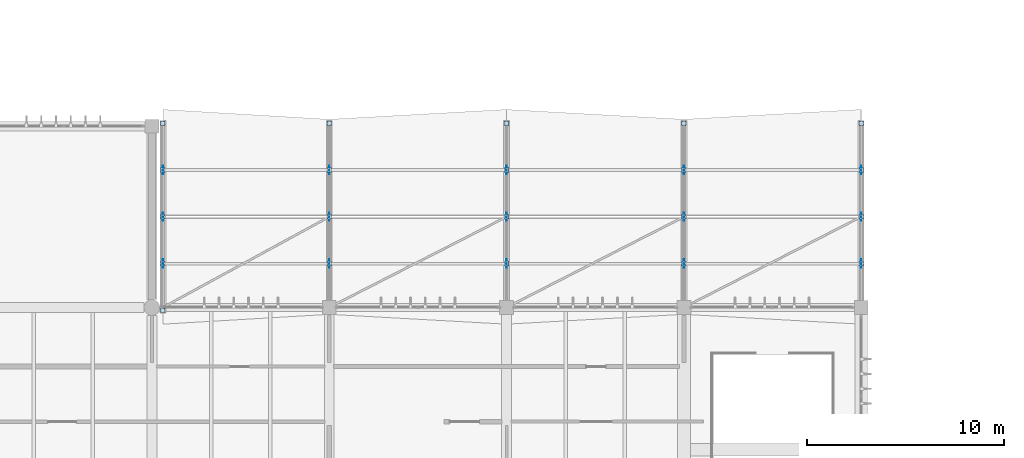
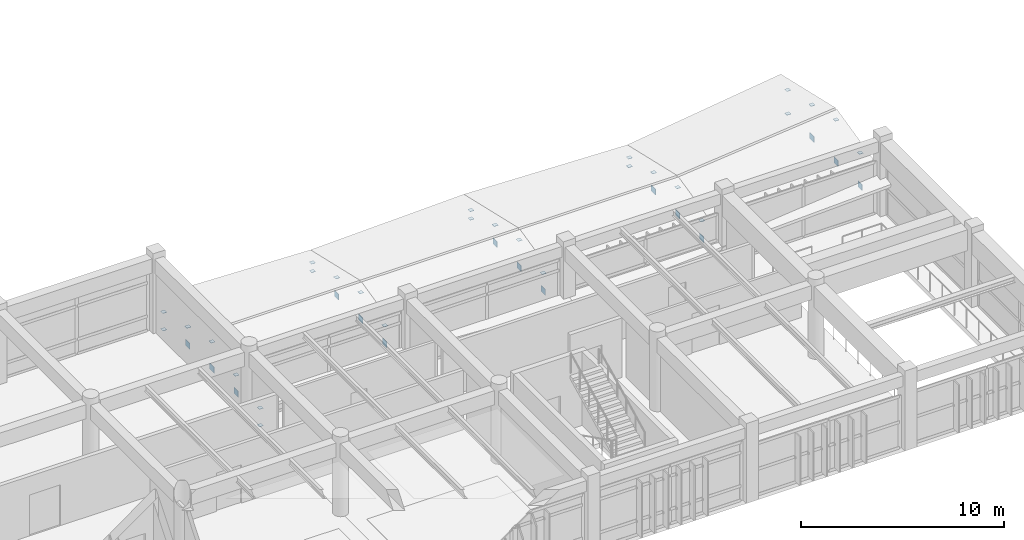
# One storey, part 59 of 90: 42 plates.
"""IFC4 building model written with IfcOpenShell, lengths in metres."""

from ifc_helpers import new_model, si_unit, direction, frame, origin, origin_2d, place, context, subcontext, project, spatial, rectangle, extrude, material, layer, layer_set, type_object, element, save


model = new_model("IFC4")

# Units and contexts
model_context = context("Model", 3, precision=1e-05, world=origin(), true_north=direction((0.0, 1.0)))
body_context = subcontext(model_context, "Body", "Model", "MODEL_VIEW")
ifc_project = project(units=[si_unit("LENGTHUNIT", "METRE"), si_unit("AREAUNIT", "SQUARE_METRE"), si_unit("VOLUMEUNIT", "CUBIC_METRE"), si_unit("PLANEANGLEUNIT", "RADIAN"), si_unit("MASSUNIT", "GRAM", prefix="KILO")], contexts=[model_context])

# Site, building, storey
site_placement = place(None, origin())
site = spatial("IfcSite", under=ifc_project, at=site_placement, CompositionType="ELEMENT")
building_placement = place(site_placement, origin())
building = spatial("IfcBuilding", under=site, at=building_placement, Name="Bozkorgan Art Gallery", CompositionType="ELEMENT")
storey_placement = place(building_placement, frame((0.0, 0.0, 5.39990234375)))
storey = spatial("IfcBuildingStorey", under=building, at=storey_placement, Name="L01", CompositionType="ELEMENT", Elevation=5.39990234375)

# Plates
ifc_material = material(Name="Steel S355J2", Category="steel")
ifc_layer_1 = layer(ifc_material, 0.01611328125, Name="Steel S355J2")
ifc_layer_set_1 = layer_set([ifc_layer_1], Name="Steel S355J2")
plate_type_1 = type_object("IfcPlateType", Name="PLATE-EC-05", PredefinedType="USERDEFINED", material=ifc_layer_set_1)
for number, where, z_axis, x_axis, name in (
    (1, (29.550048828125, 19.85009765625, 0.705322265625), (0.0, 0.0, 1.0), (1.0, 0.0, 0.0), "Truss V1 post cap 1.0"),
    (2, (29.550048828125, 19.85009765625, -0.347900390625), (0.0, 0.0, 1.0), (1.0, 0.0, 0.0), "Truss V1 post base cap 1.0"),
    (3, (29.550048828125, 22.22509765625, 1.253662109375), (0.0, 0.0, 1.0), (1.0, 0.0, 0.0), "Truss V1 post cap 1.1"),
    (4, (29.550048828125, 24.60009765625, 1.802001953125), (0.0, 0.0, 1.0), (1.0, 0.0, 0.0), "Truss V1 post cap 1.2"),
    (5, (29.550048828125, 26.97509765625, 1.253662109375), (0.0, 0.0, 1.0), (1.0, 0.0, 0.0), "Truss V1 post cap 1.3"),
    (6, (29.550048828125, 29.35009765625, 0.705322265625), (0.0, 0.0, 1.0), (1.0, 0.0, 0.0), "Truss V1 post cap 1.4"),
    (7, (29.550048828125, 29.35009765625, -0.347900390625), (0.0, 0.0, 1.0), (1.0, 0.0, 0.0), "Truss V1 post base cap 1.4"),
    (8, (38.0, 22.22509765625, 1.253662109375), (0.0, 0.0, 1.0), (1.0, 0.0, 0.0), "Truss V1 post cap 2.1"),
    (9, (38.0, 24.60009765625, 1.802001953125), (0.0, 0.0, 1.0), (1.0, 0.0, 0.0), "Truss V1 post cap 2.2"),
    (10, (38.0, 26.97509765625, 1.253662109375), (0.0, 0.0, 1.0), (1.0, 0.0, 0.0), "Truss V1 post cap 2.3"),
    (11, (38.0, 29.35009765625, 0.705322265625), (0.0, 0.0, 1.0), (1.0, 0.0, 0.0), "Truss V1 post cap 2.4"),
    (12, (38.0, 29.35009765625, 0.192138671875), (0.0, 0.0, 1.0), (1.0, 0.0, 0.0), "Truss V1 post base cap 2.4"),
    (13, (47.0, 22.22509765625, 1.253662109375), (0.0, 0.0, 1.0), (1.0, 0.0, 0.0), "Truss V1 post cap 3.1"),
    (14, (47.0, 24.60009765625, 1.802001953125), (0.0, 0.0, 1.0), (1.0, 0.0, 0.0), "Truss V1 post cap 3.2"),
    (15, (47.0, 26.97509765625, 1.253662109375), (0.0, 0.0, 1.0), (1.0, 0.0, 0.0), "Truss V1 post cap 3.3"),
    (16, (47.0, 29.35009765625, 0.705322265625), (0.0, 0.0, 1.0), (1.0, 0.0, 0.0), "Truss V1 post cap 3.4"),
    (17, (47.0, 29.35009765625, 0.192138671875), (0.0, 0.0, 1.0), (1.0, 0.0, 0.0), "Truss V1 post base cap 3.4"),
    (18, (56.0, 22.22509765625, 1.25927734375), (0.0, 0.0, 1.0), (1.0, 0.0, 0.0), "Truss V1 post cap 4.1"),
    (19, (56.0, 24.60009765625, 1.8076171875), (0.0, 0.0, 1.0), (1.0, 0.0, 0.0), "Truss V1 post cap 4.2"),
    (20, (56.0, 26.97509765625, 1.25927734375), (0.0, 0.0, 1.0), (1.0, 0.0, 0.0), "Truss V1 post cap 4.3"),
    (21, (56.0, 29.35009765625, 0.7109375), (0.0, 0.0, 1.0), (1.0, 0.0, 0.0), "Truss V1 post cap 4.4"),
    (22, (56.0, 29.35009765625, 0.192138671875), (0.0, 0.0, 1.0), (1.0, 0.0, 0.0), "Truss V1 post base cap 4.4"),
    (23, (65.0, 22.22509765625, 2.16943359375), (0.0, 0.0, 1.0), (1.0, 0.0, 0.0), "Truss V1 post cap 5.1"),
    (24, (65.0, 24.60009765625, 2.717529296875), (0.0, 0.0, 1.0), (1.0, 0.0, 0.0), "Truss V1 post cap 5.2"),
    (25, (65.0, 26.97509765625, 2.16943359375), (0.0, 0.0, 1.0), (1.0, 0.0, 0.0), "Truss V1 post cap 5.3"),
    (26, (65.0, 29.35009765625, 1.62109375), (0.0, 0.0, 1.0), (1.0, 0.0, 0.0), "Truss V1 post cap 5.4"),
    (27, (65.0, 29.35009765625, 0.192138671875), (0.0, 0.0, 1.0), (1.0, 0.0, 0.0), "Truss V1 post base cap 5.4"),
):
    element("IfcPlate", number, at=place(storey_placement, frame(where, z_axis=z_axis, x_axis=x_axis)), inside=storey, type_object=plate_type_1, Name=name, ObjectType="END CAP PLATE", PredefinedType="USERDEFINED", context=body_context, shape_type="SweptSolid", body=[
        extrude(rectangle(XDim=0.22998046875, YDim=0.22998046875, at=origin_2d()), origin(), (0.0, 0.0, 1.0), 0.01611328125),
    ])
ifc_layer_2 = layer(ifc_material, 0.02392578125, Name="Steel S355J2")
ifc_layer_set_2 = layer_set([ifc_layer_2], Name="Steel S355J2")
plate_type_2 = type_object("IfcPlateType", Name="PLATE-GP-38", PredefinedType="USERDEFINED", material=ifc_layer_set_2)
for number, where, z_axis, x_axis, name in (
    (28, (29.550048828125, 24.60009765625, 0.02001953125), (0.0, 0.0, 1.0), (1.0, 0.0, 0.0), "Truss V1 span 1 node gusset TN-2"),
    (29, (38.0, 24.60009765625, 0.02001953125), (0.0, 0.0, 1.0), (1.0, 0.0, 0.0), "Truss V1 span 2 node gusset TN-2"),
    (30, (47.0, 24.60009765625, 0.02001953125), (0.0, 0.0, 1.0), (1.0, 0.0, 0.0), "Truss V1 span 3 node gusset TN-2"),
    (31, (56.0, 24.60009765625, 0.02001953125), (0.0, 0.0, 1.0), (1.0, 0.0, 0.0), "Truss V1 span 4 node gusset TN-2"),
    (32, (65.0, 24.60009765625, 0.02001953125), (0.0, 0.0, 1.0), (1.0, 0.0, 0.0), "Truss V1 span 5 node gusset TN-2"),
):
    element("IfcPlate", number, at=place(storey_placement, frame(where, z_axis=z_axis, x_axis=x_axis)), inside=storey, type_object=plate_type_2, Name=name, ObjectType="GUSSET PLATE", PredefinedType="USERDEFINED", context=body_context, shape_type="SweptSolid", body=[
        extrude(rectangle(XDim=0.02001953125, YDim=0.419921875, at=origin_2d()), origin(), (0.0, 0.0, 1.0), 0.360107421875),
    ])
ifc_layer_3 = layer(ifc_material, 0.02001953125, Name="Steel S355J2")
ifc_layer_set_3 = layer_set([ifc_layer_3], Name="Steel S355J2")
plate_type_3 = type_object("IfcPlateType", Name="PLATE-GP-55", PredefinedType="USERDEFINED", material=ifc_layer_set_3)
for number, where, z_axis, x_axis, name in (
    (33, (29.550048828125, 22.22509765625, 0.02001953125), (0.0, 0.0, 1.0), (1.0, 0.0, 0.0), "Truss V1 span 1 node gusset TN-1"),
    (34, (29.550048828125, 26.97509765625, 0.02001953125), (0.0, 0.0, 1.0), (1.0, 0.0, 0.0), "Truss V1 span 1 node gusset TN-3"),
    (35, (38.0, 22.22509765625, 0.02001953125), (0.0, 0.0, 1.0), (1.0, 0.0, 0.0), "Truss V1 span 2 node gusset TN-1"),
    (36, (38.0, 26.97509765625, 0.02001953125), (0.0, 0.0, 1.0), (1.0, 0.0, 0.0), "Truss V1 span 2 node gusset TN-3"),
    (37, (47.0, 22.22509765625, 0.02001953125), (0.0, 0.0, 1.0), (1.0, 0.0, 0.0), "Truss V1 span 3 node gusset TN-1"),
    (38, (47.0, 26.97509765625, 0.02001953125), (0.0, 0.0, 1.0), (1.0, 0.0, 0.0), "Truss V1 span 3 node gusset TN-3"),
    (39, (56.0, 22.22509765625, 0.02001953125), (0.0, 0.0, 1.0), (1.0, 0.0, 0.0), "Truss V1 span 4 node gusset TN-1"),
    (40, (56.0, 26.97509765625, 0.02001953125), (0.0, 0.0, 1.0), (1.0, 0.0, 0.0), "Truss V1 span 4 node gusset TN-3"),
    (41, (65.0, 22.22509765625, 0.02001953125), (0.0, 0.0, 1.0), (1.0, 0.0, 0.0), "Truss V1 span 5 node gusset TN-1"),
    (42, (65.0, 26.97509765625, 0.02001953125), (0.0, 0.0, 1.0), (1.0, 0.0, 0.0), "Truss V1 span 5 node gusset TN-3"),
):
    element("IfcPlate", number, at=place(storey_placement, frame(where, z_axis=z_axis, x_axis=x_axis)), inside=storey, type_object=plate_type_3, Name=name, ObjectType="GUSSET PLATE", PredefinedType="USERDEFINED", context=body_context, shape_type="SweptSolid", body=[
        extrude(rectangle(XDim=0.02001953125, YDim=0.419921875, at=origin_2d()), origin(), (0.0, 0.0, 1.0), 0.360107421875),
    ])

save(model, "model.ifc")
